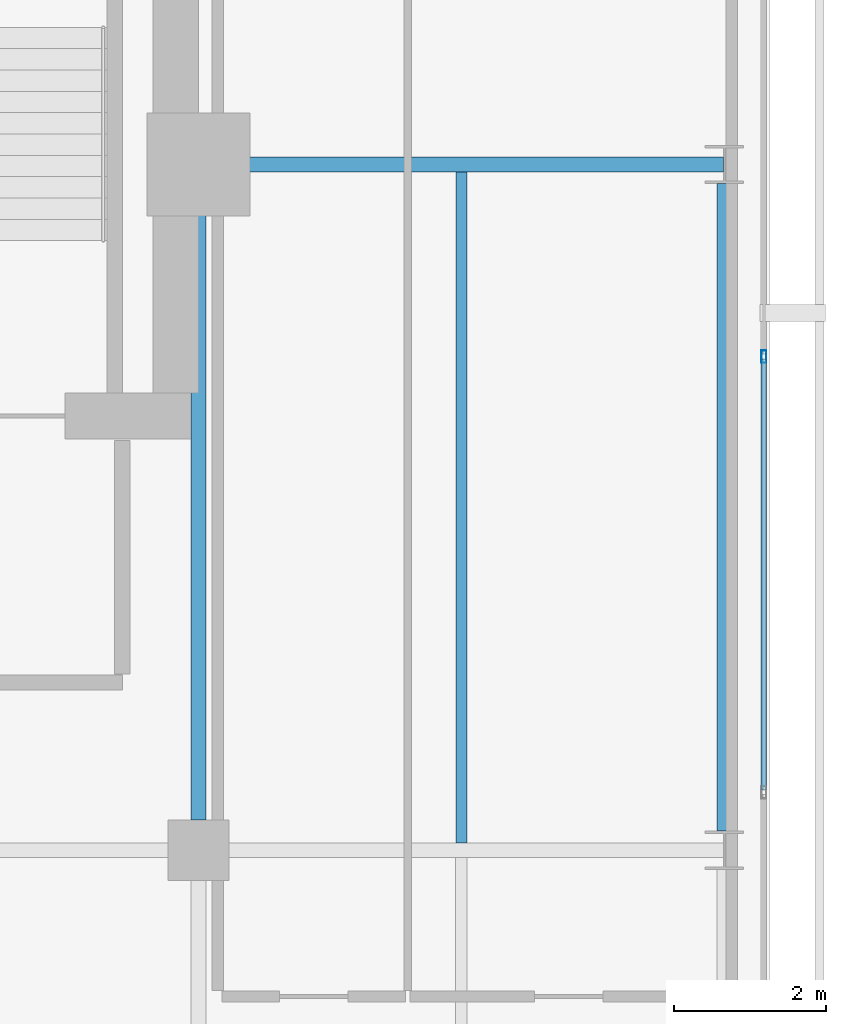
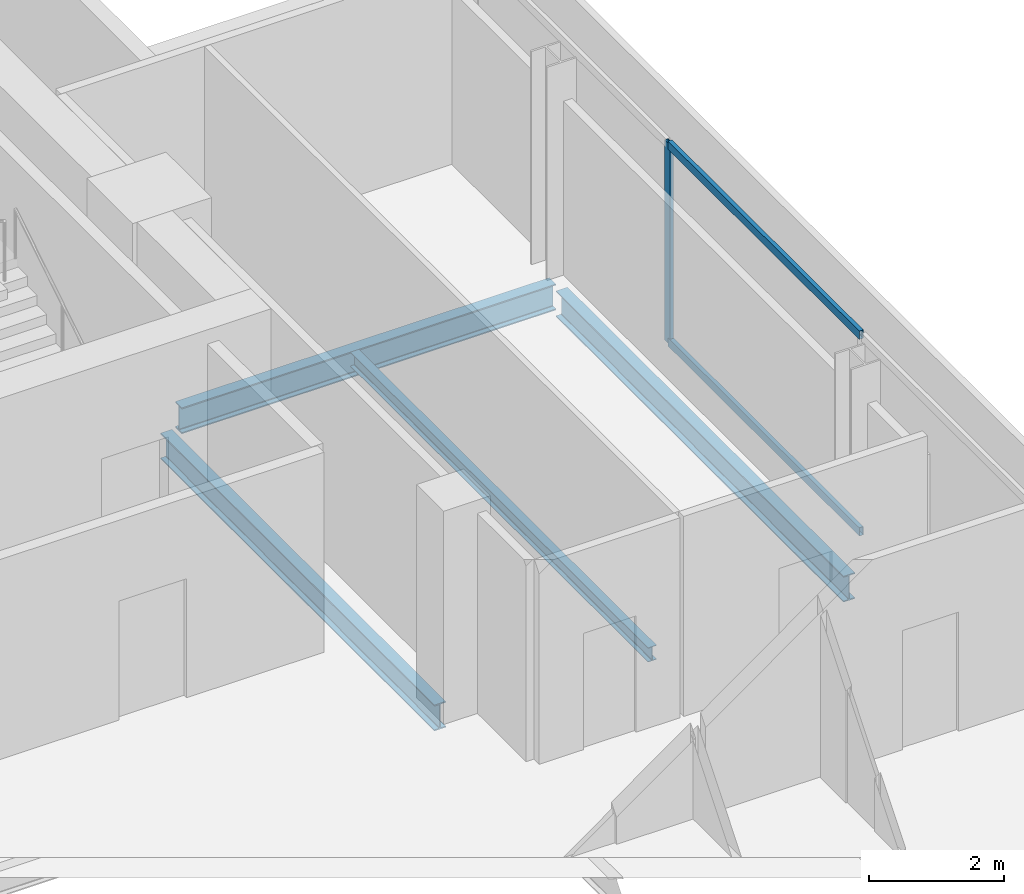
# One storey, part 13 of 24: 4 beams, 3 members, 1 element without a shape of its own.
"""IFC4 building model written with IfcOpenShell, lengths in metres."""

from ifc_helpers import new_model, si_unit, direction, frame, origin, origin_2d, place, context, subcontext, project, spatial, hollow_rectangle, i_section, extrude, material, layer, layer_set, material_profile, profile_set, type_object, element, aggregate, save


model = new_model("IFC4")

# Units and contexts
model_context = context("Model", 3, precision=1e-05, world=origin(), true_north=direction((0.0, 1.0)))
body_context = subcontext(model_context, "Body", "Model", "MODEL_VIEW")
ifc_project = project(units=[si_unit("LENGTHUNIT", "METRE"), si_unit("AREAUNIT", "SQUARE_METRE"), si_unit("VOLUMEUNIT", "CUBIC_METRE"), si_unit("PLANEANGLEUNIT", "RADIAN"), si_unit("MASSUNIT", "GRAM", prefix="KILO")], contexts=[model_context])

# Site, building, storey
site_placement = place(None, origin())
site = spatial("IfcSite", under=ifc_project, at=site_placement, CompositionType="ELEMENT")
building_placement = place(site_placement, origin())
building = spatial("IfcBuilding", under=site, at=building_placement, Name="Maruvema Waterfront Hotel and Observation Tower", CompositionType="ELEMENT")
storey_placement = place(building_placement, frame((0.0, 0.0, 325.85009765625)))
storey = spatial("IfcBuildingStorey", under=building, at=storey_placement, Name="L80", CompositionType="ELEMENT", Elevation=325.85009765625)

# Curtain wall, members
ifc_material_1 = material(Name="Anodised bronze aluminium and solar-control low-E IGU", Category="aluminium")
ifc_layer = layer(ifc_material_1, 0.159912109375, Name="Zone 4 Sky Residence Inner Curtain Wall System CW-05")
ifc_layer_set = layer_set([ifc_layer], Name="Anodised bronze aluminium and solar-control low-E IGU")
curtain_wall_type = type_object("IfcCurtainWallType", Name="Zone 4 Sky Residence Inner Curtain Wall System CW-05", PredefinedType="USERDEFINED", material=ifc_layer_set)
curtain_wall_placement = place(storey_placement, origin())
curtain_wall = element("IfcCurtainWall", 1, at=curtain_wall_placement, inside=storey, type_object=curtain_wall_type, Name="L80 Curtain Wall CW-L80-E", ObjectType="UNITISED CURTAIN WALL", PredefinedType="USERDEFINED")
ifc_material_2 = material(Name="Anodised architectural bronze aluminium", Category="aluminium")
ifc_material_profile_1 = material_profile(ifc_material_2, hollow_rectangle(XDim=0.070068359375, YDim=0.14990234375, WallThickness=0.00390625, at=origin_2d()), Name="ALU-T70x150")
ifc_profile_set_1 = profile_set([ifc_material_profile_1], Name="Anodised architectural bronze aluminium")
member_type_1 = type_object("IfcMemberType", Name="Curtain Wall Horizontal Transom ALU-T70x150", PredefinedType="USERDEFINED", material=ifc_profile_set_1)
member_1_placement = place(storey_placement, frame((57.820068359375, 36.7900390625, 0.02978515625), z_axis=(0.0, 1.0, 0.0), x_axis=(-1.0, 0.0, 0.0)))
member_1 = element("IfcMember", 2, at=member_1_placement, type_object=member_type_1, Name="CW-05 transom 4.1", ObjectType="TRANSOM", PredefinedType="USERDEFINED", context=body_context, shape_type="SweptSolid", body=[
    extrude(hollow_rectangle(XDim=0.070068359375, YDim=0.14990234375, WallThickness=0.00390625, at=origin_2d()), origin(), (0.0, 0.0, 1.0), 5.659912109375),
])
member_2_placement = place(storey_placement, frame((57.820068359375, 36.7900390625, 3.579833984375), z_axis=(0.0, 1.0, 0.0), x_axis=(-1.0, 0.0, 0.0)))
member_2 = element("IfcMember", 3, at=member_2_placement, type_object=member_type_1, Name="CW-05 transom 4.2", ObjectType="TRANSOM", PredefinedType="USERDEFINED", context=body_context, shape_type="SweptSolid", body=[
    extrude(hollow_rectangle(XDim=0.070068359375, YDim=0.14990234375, WallThickness=0.00390625, at=origin_2d()), origin(), (0.0, 0.0, 1.0), 5.659912109375),
])
ifc_material_3 = material(Name="Anodised architectural bronze aluminium", Category="aluminium")
ifc_material_profile_2 = material_profile(ifc_material_3, hollow_rectangle(XDim=0.06494140625, YDim=0.1650390625, WallThickness=0.00390625, at=origin_2d()), Name="ALU-M65x165")
ifc_profile_set_2 = profile_set([ifc_material_profile_2], Name="Anodised architectural bronze aluminium")
member_type_2 = type_object("IfcMemberType", Name="Curtain Wall Primary Mullion ALU-M65x165", PredefinedType="MULLION", material=ifc_profile_set_2)
member_3_placement = place(storey_placement, frame((57.820068359375, 42.47998046875, 0.0), z_axis=(0.0, 0.0, 1.0), x_axis=(-1.0, 0.0, 0.0)))
member_3 = element("IfcMember", 4, at=member_3_placement, type_object=member_type_2, Name="CW-05 mullion 5", PredefinedType="MULLION", context=body_context, shape_type="SweptSolid", body=[
    extrude(hollow_rectangle(XDim=0.06494140625, YDim=0.1650390625, WallThickness=0.00390625, at=origin_2d()), origin(), (0.0, 0.0, 1.0), 3.60986328125),
])
aggregate(curtain_wall, [member_3, member_1, member_2])

# Beams
ifc_material_4 = material(Name="Steel ASTM A572 Grade 50", Category="steel")
ifc_material_profile_3 = material_profile(ifc_material_4, i_section(OverallWidth=0.194091796875, OverallDepth=0.468994140625, WebThickness=0.0126953125, FlangeThickness=0.0205078125, FilletRadius=0.014892578125, at=origin_2d()), Name="W460x106.0")
ifc_profile_set_3 = profile_set([ifc_material_profile_3], Name="Steel ASTM A572 Grade 50")
beam_type_1 = type_object("IfcBeamType", Name="Primary Floor Girder W460x106.0", PredefinedType="BEAM", material=ifc_profile_set_3)
beam_1_placement = place(storey_placement, frame((50.89990234375, 45.0, -0.474609375), z_axis=(1.0, 0.0, 0.0), x_axis=(0.0, 1.0, 0.0)))
element("IfcBeam", 5, at=beam_1_placement, inside=storey, type_object=beam_type_1, Name="L80 Floor Girder EW-16", PredefinedType="BEAM", context=body_context, shape_type="SweptSolid", body=[
    extrude(i_section(OverallWidth=0.194091796875, OverallDepth=0.468994140625, WebThickness=0.0126953125, FlangeThickness=0.0205078125, FilletRadius=0.014892578125, at=origin_2d()), origin(), (0.0, 0.0, 1.0), 6.38916015625),
])
beam_2_placement = place(storey_placement, frame((50.39990234375, 36.39990234375, -0.474609375), z_axis=(0.0, 1.0, 0.0), x_axis=(-1.0, 0.0, 0.0)))
element("IfcBeam", 6, at=beam_2_placement, inside=storey, type_object=beam_type_1, Name="L80 Floor Girder NS-14", PredefinedType="BEAM", context=body_context, shape_type="SweptSolid", body=[
    extrude(i_section(OverallWidth=0.194091796875, OverallDepth=0.468994140625, WebThickness=0.0126953125, FlangeThickness=0.0205078125, FilletRadius=0.014892578125, at=origin_2d()), origin(), (0.0, 0.0, 1.0), 8.10009765625),
])
beam_3_placement = place(storey_placement, frame((57.300048828125, 36.25, -0.474609375), z_axis=(0.0, 1.0, 0.0), x_axis=(-1.0, 0.0, 0.0)))
element("IfcBeam", 7, at=beam_3_placement, inside=storey, type_object=beam_type_1, Name="L80 Floor Girder NS-16", PredefinedType="BEAM", context=body_context, shape_type="SweptSolid", body=[
    extrude(i_section(OverallWidth=0.194091796875, OverallDepth=0.468994140625, WebThickness=0.0126953125, FlangeThickness=0.0205078125, FilletRadius=0.014892578125, at=origin_2d()), origin(), (0.0, 0.0, 1.0), 8.5),
])
ifc_material_5 = material(Name="Steel ASTM A572 Grade 50", Category="steel")
ifc_material_profile_4 = material_profile(ifc_material_5, i_section(OverallWidth=0.14599609375, OverallDepth=0.258056640625, WebThickness=0.006103515625, FlangeThickness=0.009033203125, FilletRadius=0.012939453125, at=origin_2d()), Name="W250x32.7")
ifc_profile_set_4 = profile_set([ifc_material_profile_4], Name="Steel ASTM A572 Grade 50")
beam_type_2 = type_object("IfcBeamType", Name="Secondary Floor Joist W250x32.7", PredefinedType="JOIST", material=ifc_profile_set_4)
beam_4_placement = place(storey_placement, frame((53.85009765625, 36.096923828125, -0.369140625), z_axis=(0.0, 1.0, 0.0), x_axis=(-1.0, 0.0, 0.0)))
element("IfcBeam", 8, at=beam_4_placement, inside=storey, type_object=beam_type_2, Name="L80 Secondary Floor Joist JS-07", PredefinedType="JOIST", context=body_context, shape_type="SweptSolid", body=[
    extrude(i_section(OverallWidth=0.14599609375, OverallDepth=0.258056640625, WebThickness=0.006103515625, FlangeThickness=0.009033203125, FilletRadius=0.012939453125, at=origin_2d()), origin(), (0.0, 0.0, 1.0), 8.80615234375),
])

save(model, "model.ifc")
